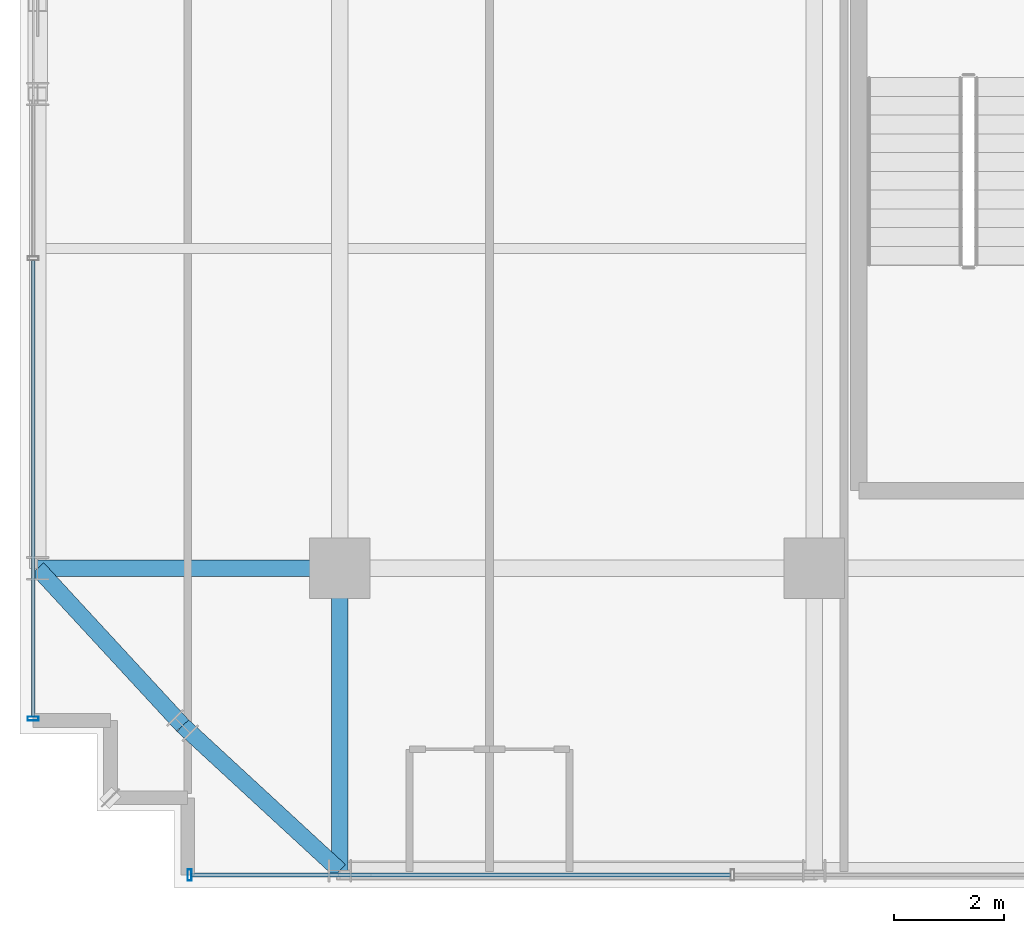
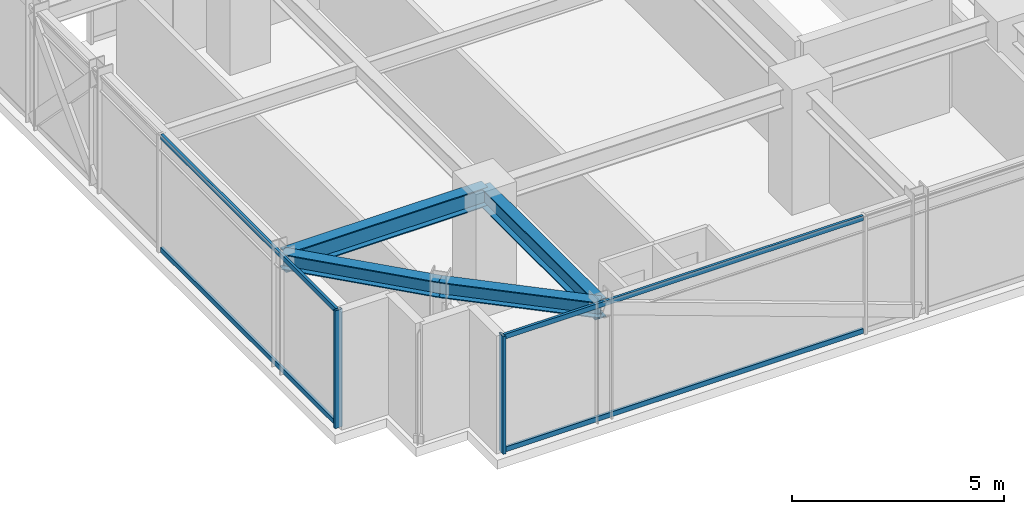
# One storey, part 2 of 41: 6 members, 4 beams, 2 elements without a shape of their own.
"""IFC4 building model written with IfcOpenShell, lengths in metres."""

from ifc_helpers import new_model, si_unit, direction, frame, origin, origin_2d, place, context, subcontext, project, spatial, hollow_rectangle, i_section, extrude, source, transform, mapped, material, material_profile, profile_set, type_object, element, aggregate, save


model = new_model("IFC4")

# Units and contexts
model_context = context("Model", 3, precision=1e-05, world=origin(), true_north=direction((0.0, 1.0)))
body_context = subcontext(model_context, "Body", "Model", "MODEL_VIEW")
ifc_project = project(units=[si_unit("LENGTHUNIT", "METRE"), si_unit("AREAUNIT", "SQUARE_METRE"), si_unit("VOLUMEUNIT", "CUBIC_METRE"), si_unit("PLANEANGLEUNIT", "RADIAN"), si_unit("MASSUNIT", "GRAM", prefix="KILO")], contexts=[model_context])

# Site, building, storey
site_placement = place(None, origin())
site = spatial("IfcSite", under=ifc_project, at=site_placement, CompositionType="ELEMENT")
building_placement = place(site_placement, origin())
building = spatial("IfcBuilding", under=site, at=building_placement, Name="Nahalor Promenade Grand Hotel", CompositionType="ELEMENT")
storey_placement = place(building_placement, frame((0.0, 0.0, 159.949951171875)))
storey = spatial("IfcBuildingStorey", under=building, at=storey_placement, Name="L40", CompositionType="ELEMENT", Elevation=159.949951171875)

# Beams
ifc_material_1 = material(Name="Steel S355JR", Category="steel")
ifc_material_profile_1 = material_profile(ifc_material_1, i_section(OverallWidth=0.3, OverallDepth=0.55, WebThickness=0.015, FlangeThickness=0.029, at=origin_2d()), Name="HEB 550")
ifc_profile_set_1 = profile_set([ifc_material_profile_1], Name="Steel S355JR")
beam_type_1 = type_object("IfcBeamType", Name="Beam-Girder-HEB550", PredefinedType="BEAM", material=ifc_profile_set_1)
shared_shape_1 = source(origin(), body_context, "Body", "SweptSolid", [
    extrude(i_section(OverallWidth=0.3, OverallDepth=0.55, WebThickness=0.015, FlangeThickness=0.029, at=origin_2d()), origin(), (0.0, 0.0, 1.0), 5.47998046875),
])
for number, where, z_axis, x_axis, name in (
    (1, (-22.47998046875, -17.0, 3.114990234375), (1.0, 0.0, 0.0), (0.0, 1.0, 0.0), "BM-L40-GX-0-0"),
    (2, (-17.0, -22.47998046875, 3.114990234375), (0.0, 1.0, 0.0), (-1.0, 0.0, 0.0), "BM-L40-GY-0-0"),
):
    element("IfcBeam", number, at=place(storey_placement, frame(where, z_axis=z_axis, x_axis=x_axis)), inside=storey, type_object=beam_type_1, Name=name, PredefinedType="BEAM", context=body_context, shape_type="MappedRepresentation", body=[
        mapped(shared_shape_1, transform((0.0, 0.0, 0.0), scale=1.0)),
    ])
ifc_material_profile_2 = material_profile(ifc_material_1, i_section(OverallWidth=0.3, OverallDepth=0.45, WebThickness=0.014, FlangeThickness=0.026, at=origin_2d()), Name="HEB 450")
ifc_profile_set_2 = profile_set([ifc_material_profile_2], Name="Steel S355JR")
beam_type_2 = type_object("IfcBeamType", Name="Beam-Spandrel-HEB450", PredefinedType="SPANDREL", material=ifc_profile_set_2)
shared_shape_2 = source(origin(), body_context, "Body", "SweptSolid", [
    extrude(i_section(OverallWidth=0.3, OverallDepth=0.45, WebThickness=0.014, FlangeThickness=0.026, at=origin_2d()), origin(), (0.0, 0.0, 1.0), 3.878173828125),
])
for number, where, z_axis, x_axis, name in (
    (3, (-17.0, -22.47998046875, 3.1650390625), (-0.73492893846, 0.678144125843, 0.0), (-0.678144125843, -0.73492893846, 0.0), "BM-L40-SPC-SW-1"),
    (4, (-19.85009765625, -19.85009765625, 3.1650390625), (-0.678144125843, 0.73492893846, 0.0), (-0.73492893846, -0.678144125843, 0.0), "BM-L40-SPC-SW-2"),
):
    element("IfcBeam", number, at=place(storey_placement, frame(where, z_axis=z_axis, x_axis=x_axis)), inside=storey, type_object=beam_type_2, Name=name, PredefinedType="SPANDREL", context=body_context, shape_type="MappedRepresentation", body=[
        mapped(shared_shape_2, transform((0.0, 0.0, 0.0), scale=1.0)),
    ])

# Curtain wall, member
ifc_material_2 = material(Name="Anodised Bronze Aluminium EN AW-6063 T6", Category="aluminium")
curtain_wall_type = type_object("IfcCurtainWallType", Name="CW3 Elliptical-Void Collar Unitised Curtain Wall", PredefinedType="USERDEFINED", material=ifc_material_2)
curtain_wall_1_placement = place(storey_placement, origin())
curtain_wall_1 = element("IfcCurtainWall", 5, at=curtain_wall_1_placement, inside=storey, type_object=curtain_wall_type, Name="L40 Curtain Wall CW-L40-S-1", ObjectType="UNITISED_CURTAIN_WALL", PredefinedType="USERDEFINED")
ifc_material_profile_3 = material_profile(ifc_material_2, hollow_rectangle(XDim=0.07, YDim=0.2, WallThickness=0.005, at=origin_2d()), Name="CWM 70x200x5")
ifc_profile_set_3 = profile_set([ifc_material_profile_3], Name="Anodised Bronze Aluminium EN AW-6063 T6")
member_type_1 = type_object("IfcMemberType", Name="CWM3 Void Collar Mullion 70x200", PredefinedType="MULLION", material=ifc_profile_set_3)
shared_shape_3 = source(origin(), body_context, "Body", "SweptSolid", [
    extrude(hollow_rectangle(XDim=0.07, YDim=0.2, WallThickness=0.005, at=origin_2d()), origin(), (0.0, 0.0, 1.0), 3.39013671875),
])
member_1_placement = place(storey_placement, frame((-19.72509765625, -22.56005859375, 0.0), z_axis=(0.0, 0.0, 1.0), x_axis=(1.0, 0.0, 0.0)))
member_1 = element("IfcMember", 6, at=member_1_placement, type_object=member_type_1, Name="CW-L40-S-1 Mullion 0", PredefinedType="MULLION", context=body_context, shape_type="MappedRepresentation", body=[
    mapped(shared_shape_3, transform((0.0, 0.0, 0.0), scale=1.0)),
])

curtain_wall_2_placement = place(storey_placement, origin())
curtain_wall_2 = element("IfcCurtainWall", 7, at=curtain_wall_2_placement, inside=storey, type_object=curtain_wall_type, Name="L40 Curtain Wall CW-L40-W-1", ObjectType="UNITISED_CURTAIN_WALL", PredefinedType="USERDEFINED")
member_2_placement = place(storey_placement, frame((-22.56005859375, -19.72509765625, 0.0), z_axis=(0.0, 0.0, 1.0), x_axis=(0.0, 1.0, 0.0)))
member_2 = element("IfcMember", 8, at=member_2_placement, type_object=member_type_1, Name="CW-L40-W-1 Mullion 0", PredefinedType="MULLION", context=body_context, shape_type="MappedRepresentation", body=[
    mapped(shared_shape_3, transform((0.0, 0.0, 0.0), scale=1.0)),
])

# Member
ifc_material_profile_4 = material_profile(ifc_material_2, hollow_rectangle(XDim=0.07, YDim=0.14, WallThickness=0.004, at=origin_2d()), Name="CWT 70x140x4")
ifc_profile_set_4 = profile_set([ifc_material_profile_4], Name="Anodised Bronze Aluminium EN AW-6063 T6")
member_type_2 = type_object("IfcMemberType", Name="CWT3 Void Collar Transom 70x140", PredefinedType="USERDEFINED", material=ifc_profile_set_4)
shared_shape_4 = source(origin(), body_context, "Body", "SweptSolid", [
    extrude(hollow_rectangle(XDim=0.07, YDim=0.14, WallThickness=0.004, at=origin_2d()), origin(), (0.0, 0.0, 1.0), 9.77490234375),
])
member_3_placement = place(storey_placement, frame((-19.68994140625, -22.56005859375, 0.070068359375), z_axis=(1.0, 0.0, 0.0), x_axis=(0.0, 1.0, 0.0)))
member_3 = element("IfcMember", 9, at=member_3_placement, type_object=member_type_2, Name="CW-L40-S-1 Transom 0-0", ObjectType="TRANSOM", PredefinedType="USERDEFINED", context=body_context, shape_type="MappedRepresentation", body=[
    mapped(shared_shape_4, transform((0.0, 0.0, 0.0), scale=1.0)),
])

member_4_placement = place(storey_placement, frame((-19.68994140625, -22.56005859375, 3.320068359375), z_axis=(1.0, 0.0, 0.0), x_axis=(0.0, 1.0, 0.0)))
member_4 = element("IfcMember", 10, at=member_4_placement, type_object=member_type_2, Name="CW-L40-S-1 Transom 0-1", ObjectType="TRANSOM", PredefinedType="USERDEFINED", context=body_context, shape_type="MappedRepresentation", body=[
    mapped(shared_shape_4, transform((0.0, 0.0, 0.0), scale=1.0)),
])

aggregate(curtain_wall_1, [member_1, member_3, member_4])

shared_shape_5 = source(origin(), body_context, "Body", "SweptSolid", [
    extrude(hollow_rectangle(XDim=0.07, YDim=0.14, WallThickness=0.004, at=origin_2d()), origin(), (0.0, 0.0, 1.0), 8.275390625),
])
member_5_placement = place(storey_placement, frame((-22.56005859375, -19.68994140625, 0.070068359375), z_axis=(0.0, 1.0, 0.0), x_axis=(-1.0, 0.0, 0.0)))
member_5 = element("IfcMember", 11, at=member_5_placement, type_object=member_type_2, Name="CW-L40-W-1 Transom 0-0", ObjectType="TRANSOM", PredefinedType="USERDEFINED", context=body_context, shape_type="MappedRepresentation", body=[
    mapped(shared_shape_5, transform((0.0, 0.0, 0.0), scale=1.0)),
])

member_6_placement = place(storey_placement, frame((-22.56005859375, -19.68994140625, 3.320068359375), z_axis=(0.0, 1.0, 0.0), x_axis=(-1.0, 0.0, 0.0)))
member_6 = element("IfcMember", 12, at=member_6_placement, type_object=member_type_2, Name="CW-L40-W-1 Transom 0-1", ObjectType="TRANSOM", PredefinedType="USERDEFINED", context=body_context, shape_type="MappedRepresentation", body=[
    mapped(shared_shape_5, transform((0.0, 0.0, 0.0), scale=1.0)),
])

aggregate(curtain_wall_2, [member_2, member_5, member_6])

save(model, "model.ifc")
